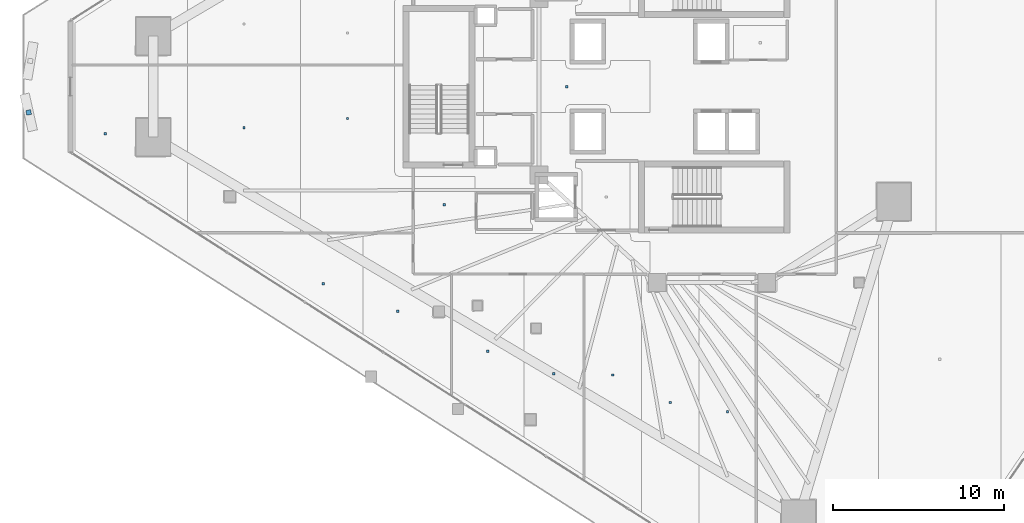
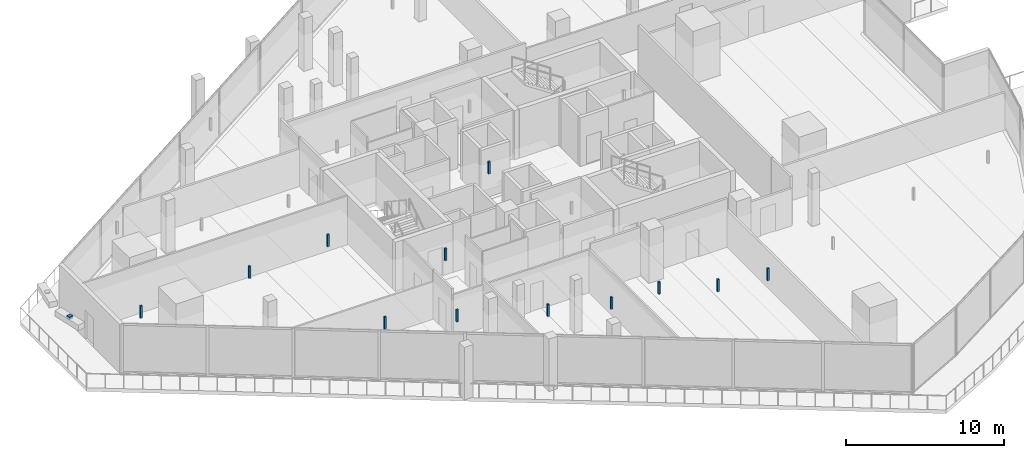
# One storey, part 30 of 42: 13 discrete accessories.
"""IFC4 building model written with IfcOpenShell, lengths in metres."""

from ifc_helpers import new_model, si_unit, direction, frame, origin, origin_2d, place, context, subcontext, project, spatial, rectangle, extrude, material, type_object, element, save


model = new_model("IFC4")

# Units and contexts
model_context = context("Model", 3, precision=1e-05, world=origin(), true_north=direction((0.0, 1.0)))
body_context = subcontext(model_context, "Body", "Model", "MODEL_VIEW")
ifc_project = project(units=[si_unit("LENGTHUNIT", "METRE"), si_unit("AREAUNIT", "SQUARE_METRE"), si_unit("VOLUMEUNIT", "CUBIC_METRE"), si_unit("PLANEANGLEUNIT", "RADIAN"), si_unit("MASSUNIT", "GRAM", prefix="KILO")], contexts=[model_context])

# Site, building, storey
site_placement = place(None, origin())
site = spatial("IfcSite", under=ifc_project, at=site_placement, CompositionType="ELEMENT")
building_placement = place(site_placement, origin())
building = spatial("IfcBuilding", under=site, at=building_placement, Name="Qorvath Tower", CompositionType="ELEMENT")
storey_placement = place(building_placement, frame((0.0, 0.0, 117.89990234375)))
storey = spatial("IfcBuildingStorey", under=building, at=storey_placement, Name="L26", CompositionType="ELEMENT", Elevation=117.89990234375)

# Discrete accessories
ifc_material = material(Name="Galvanised steel bracket", Category="steel")
discrete_accessory_type = type_object("IfcDiscreteAccessoryType", Name="DA-BRACKET", PredefinedType="BRACKET", material=ifc_material)
discrete_accessory_placement = place(storey_placement, frame((-60.33251953125, -1.505615234375, 3.6298828125), z_axis=(0.0, 0.0, 1.0), x_axis=(0.217371580175, -0.976088928393, 0.0)))
element("IfcDiscreteAccessory", 1, at=discrete_accessory_placement, inside=storey, type_object=discrete_accessory_type, Name="Louvre Wave Support Bracket L26-02", PredefinedType="NOTDEFINED", context=body_context, shape_type="SweptSolid", body=[
    extrude(rectangle(XDim=0.280029296875, YDim=0.280029296875, at=origin_2d()), origin(), (0.0, 0.0, 1.0), 0.199951171875),
])
for number, where, z_axis, x_axis, name in (
    (2, (-36.04150390625, -6.906982421875, 2.860107421875), (0.0, 0.0, 1.0), (1.0, 0.0, 0.0), "Acoustic Ceiling Suspension Hanger T1-L26-008"),
    (3, (-28.889892578125, 0.0, 2.860107421875), (0.0, 0.0, 1.0), (1.0, 0.0, 0.0), "Acoustic Ceiling Suspension Hanger T1-L26-010"),
    (4, (-43.119140625, -11.5087890625, 2.860107421875), (0.0, 0.0, 1.0), (1.0, 0.0, 0.0), "Acoustic Ceiling Suspension Hanger T1-L26-017"),
    (5, (-38.77294921875, -13.1142578125, 2.860107421875), (0.0, 0.0, 1.0), (1.0, 0.0, 0.0), "Acoustic Ceiling Suspension Hanger T1-L26-018"),
    (6, (-33.497802734375, -15.458740234375, 2.860107421875), (0.0, 0.0, 1.0), (1.0, 0.0, 0.0), "Acoustic Ceiling Suspension Hanger T1-L26-019"),
    (7, (-29.638427734375, -16.776123046875, 2.860107421875), (0.0, 0.0, 1.0), (1.0, 0.0, 0.0), "Acoustic Ceiling Suspension Hanger T1-L26-020"),
    (8, (-26.191650390625, -16.848876953125, 2.860107421875), (0.0, 0.0, 1.0), (1.0, 0.0, 0.0), "Acoustic Ceiling Suspension Hanger T1-L26-021"),
    (9, (-22.843505859375, -18.454833984375, 2.860107421875), (0.0, 0.0, 1.0), (1.0, 0.0, 0.0), "Acoustic Ceiling Suspension Hanger T1-L26-022"),
    (10, (-19.495361328125, -18.98876953125, 2.860107421875), (0.0, 0.0, 1.0), (1.0, 0.0, 0.0), "Acoustic Ceiling Suspension Hanger T1-L26-023"),
    (11, (-55.86669921875, -2.7587890625, 2.860107421875), (0.0, 0.0, 1.0), (1.0, 0.0, 0.0), "Acoustic Ceiling Suspension Hanger T1-L26-030"),
    (12, (-47.74853515625, -2.395263671875, 2.860107421875), (0.0, 0.0, 1.0), (1.0, 0.0, 0.0), "Acoustic Ceiling Suspension Hanger T1-L26-031"),
    (13, (-41.70166015625, -1.86181640625, 2.860107421875), (0.0, 0.0, 1.0), (1.0, 0.0, 0.0), "Acoustic Ceiling Suspension Hanger T1-L26-032"),
):
    element("IfcDiscreteAccessory", number, at=place(storey_placement, frame(where, z_axis=z_axis, x_axis=x_axis)), inside=storey, type_object=discrete_accessory_type, Name=name, PredefinedType="NOTDEFINED", context=body_context, shape_type="SweptSolid", body=[
        extrude(rectangle(XDim=0.139892578125, YDim=0.139892578125, at=origin_2d()), origin(), (0.0, 0.0, 1.0), 0.93994140625),
    ])

save(model, "model.ifc")
